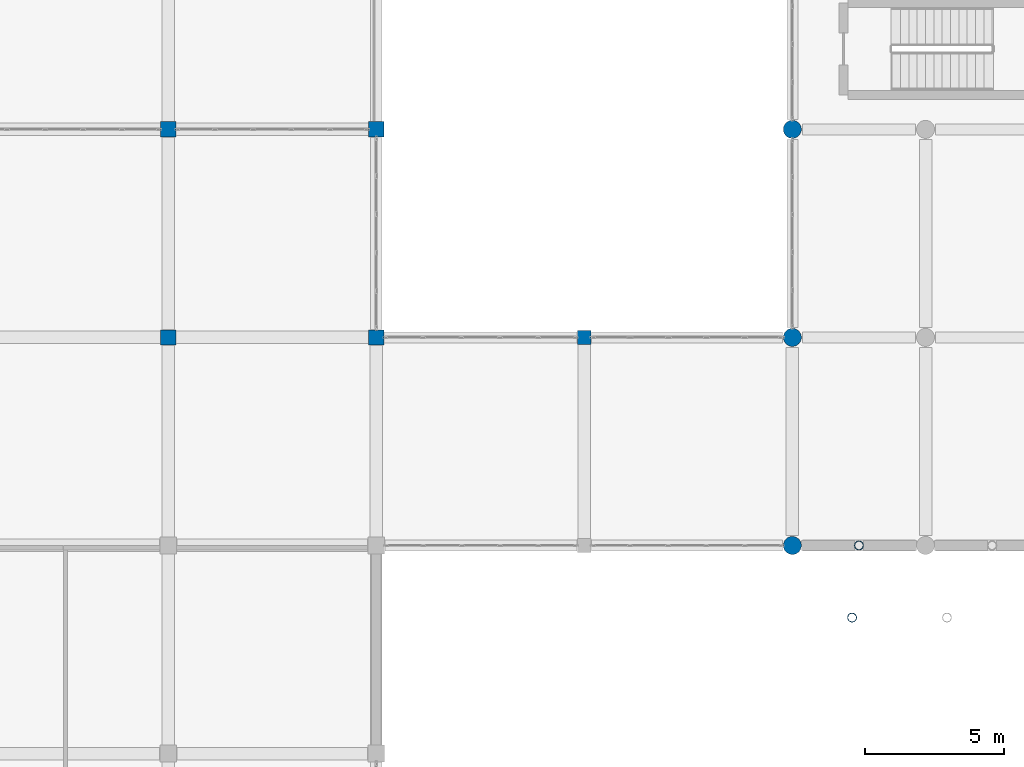
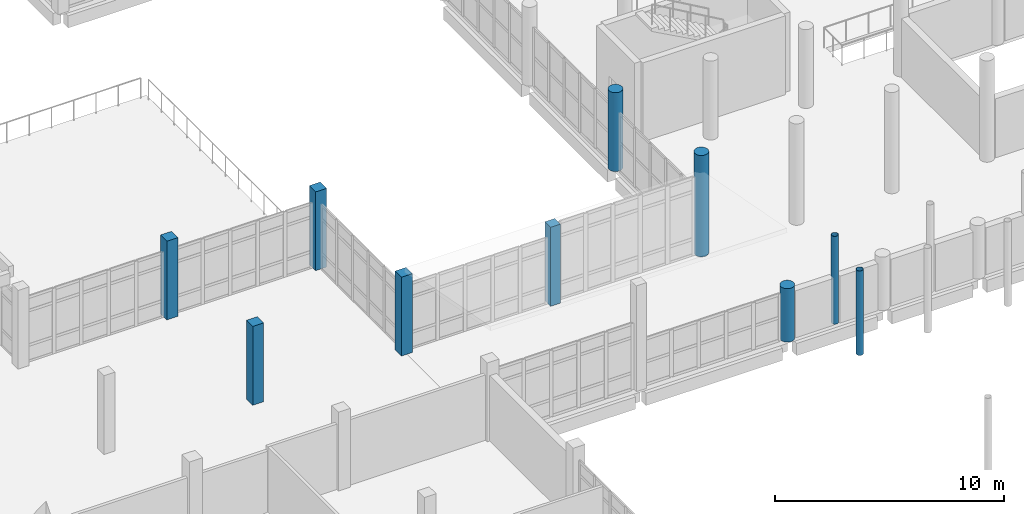
# One storey, part 4 of 164: 10 columns.
"""IFC4 building model written with IfcOpenShell, lengths in metres."""

from ifc_helpers import new_model, si_unit, direction, frame, origin, origin_2d, place, context, subcontext, project, spatial, rectangle, circle, hollow_circle, extrude, material, material_profile, profile_set, type_object, element, save


model = new_model("IFC4")

# Units and contexts
model_context = context("Model", 3, precision=1e-05, world=origin(), true_north=direction((0.0, 1.0)))
body_context = subcontext(model_context, "Body", "Model", "MODEL_VIEW")
ifc_project = project(units=[si_unit("LENGTHUNIT", "METRE"), si_unit("AREAUNIT", "SQUARE_METRE"), si_unit("VOLUMEUNIT", "CUBIC_METRE"), si_unit("PLANEANGLEUNIT", "RADIAN"), si_unit("MASSUNIT", "GRAM", prefix="KILO")], contexts=[model_context])

# Site, building, storey
site_placement = place(None, origin())
site = spatial("IfcSite", under=ifc_project, at=site_placement, CompositionType="ELEMENT")
building_placement = place(site_placement, origin())
building = spatial("IfcBuilding", under=site, at=building_placement, Name="Mawjan Specialist Oncology Clinic", CompositionType="ELEMENT")
storey_placement = place(building_placement, frame((0.0, 0.0, 5.0)))
storey = spatial("IfcBuildingStorey", under=building, at=storey_placement, Name="L01", CompositionType="ELEMENT", Elevation=5.0)

# Columns
ifc_material_1 = material(Name="Concrete C45/55", Category="concrete")
ifc_material_profile_1 = material_profile(ifc_material_1, rectangle(XDim=0.5, YDim=0.5, at=origin_2d()), Name="RC COL 500x500", Category="concrete")
ifc_profile_set_1 = profile_set([ifc_material_profile_1], Name="Concrete C45/55")
column_type_1 = type_object("IfcColumnType", Name="C-500", PredefinedType="COLUMN", material=ifc_profile_set_1)
column_1_placement = place(storey_placement, frame((52.5, 53.300048828125, 0.0), z_axis=(0.0, 0.0, 1.0), x_axis=(1.0, 0.0, 0.0)))
element("IfcColumn", 1, at=column_1_placement, inside=storey, type_object=column_type_1, Name="L01 Column G-8-H", PredefinedType="COLUMN", context=body_context, shape_type="SweptSolid", body=[
    extrude(rectangle(XDim=0.5, YDim=0.5, at=origin_2d()), origin(), (0.0, 0.0, 1.0), 4.2060546875),
])
ifc_material_2 = material(Name="Concrete C45/55", Category="concrete")
ifc_material_profile_2 = material_profile(ifc_material_2, rectangle(XDim=0.550048828125, YDim=0.550048828125, at=origin_2d()), Name="RC COL 550x550", Category="concrete")
ifc_profile_set_2 = profile_set([ifc_material_profile_2], Name="Concrete C45/55")
column_type_2 = type_object("IfcColumnType", Name="C-550", PredefinedType="COLUMN", material=ifc_profile_set_2)
for number, where, z_axis, x_axis, name in (
    (2, (37.5, 53.300048828125, 0.0), (0.0, 0.0, 1.0), (1.0, 0.0, 0.0), "L01 Column G-6-H"),
    (3, (37.5, 60.800048828125, 0.0), (0.0, 0.0, 1.0), (1.0, 0.0, 0.0), "L01 Column G-6-J"),
    (4, (45.0, 53.300048828125, 0.0), (0.0, 0.0, 1.0), (1.0, 0.0, 0.0), "L01 Column G-7-H"),
    (5, (45.0, 60.800048828125, 0.0), (0.0, 0.0, 1.0), (1.0, 0.0, 0.0), "L01 Column G-7-J"),
):
    element("IfcColumn", number, at=place(storey_placement, frame(where, z_axis=z_axis, x_axis=x_axis)), inside=storey, type_object=column_type_2, Name=name, PredefinedType="COLUMN", context=body_context, shape_type="SweptSolid", body=[
        extrude(rectangle(XDim=0.550048828125, YDim=0.550048828125, at=origin_2d()), origin(), (0.0, 0.0, 1.0), 4.199951171875),
    ])
ifc_material_3 = material(Name="Concrete C45/55", Category="concrete")
ifc_material_profile_3 = material_profile(ifc_material_3, circle(Radius=0.324951171875, at=origin_2d()), Name="RC COL D650", Category="concrete")
ifc_profile_set_3 = profile_set([ifc_material_profile_3], Name="Concrete C45/55")
column_type_3 = type_object("IfcColumnType", Name="C-D650", PredefinedType="COLUMN", material=ifc_profile_set_3)
column_2_placement = place(storey_placement, frame((60.0, 45.800048828125, 0.0), z_axis=(0.0, 0.0, 1.0), x_axis=(1.0, 0.0, 0.0)))
element("IfcColumn", 6, at=column_2_placement, inside=storey, type_object=column_type_3, Name="L01 Column G-9-G", PredefinedType="COLUMN", context=body_context, shape_type="SweptSolid", body=[
    extrude(circle(Radius=0.324951171875, at=origin_2d()), origin(), (0.0, 0.0, 1.0), 2.85009765625),
])
column_3_placement = place(storey_placement, frame((60.0, 53.300048828125, 0.0), z_axis=(0.0, 0.0, 1.0), x_axis=(1.0, 0.0, 0.0)))
element("IfcColumn", 7, at=column_3_placement, inside=storey, type_object=column_type_3, Name="L01 Column G-9-H", PredefinedType="COLUMN", context=body_context, shape_type="SweptSolid", body=[
    extrude(circle(Radius=0.324951171875, at=origin_2d()), origin(), (0.0, 0.0, 1.0), 5.39990234375),
])
column_4_placement = place(storey_placement, frame((60.0, 60.800048828125, 0.0), z_axis=(0.0, 0.0, 1.0), x_axis=(1.0, 0.0, 0.0)))
element("IfcColumn", 8, at=column_4_placement, inside=storey, type_object=column_type_3, Name="L01 Column G-9-J", PredefinedType="COLUMN", context=body_context, shape_type="SweptSolid", body=[
    extrude(circle(Radius=0.324951171875, at=origin_2d()), origin(), (0.0, 0.0, 1.0), 4.199951171875),
])
ifc_material_4 = material(Name="Structural steel S355", Category="steel")
ifc_material_profile_4 = material_profile(ifc_material_4, hollow_circle(Radius=0.161865234375, WallThickness=0.011962890625, at=origin_2d()), Name="CHS 323.9x12", Category="steel")
ifc_profile_set_4 = profile_set([ifc_material_profile_4], Name="Structural steel S355")
column_type_4 = type_object("IfcColumnType", Name="SC-CHS324", PredefinedType="COLUMN", material=ifc_profile_set_4)
column_5_placement = place(storey_placement, frame((62.39990234375, 45.800048828125, 0.0), z_axis=(0.0, 0.0, 1.0), x_axis=(1.0, 0.0, 0.0)))
element("IfcColumn", 9, at=column_5_placement, inside=storey, type_object=column_type_4, Name="Hall South Ridge L01 Column 01", PredefinedType="COLUMN", context=body_context, shape_type="SweptSolid", body=[
    extrude(hollow_circle(Radius=0.161865234375, WallThickness=0.011962890625, at=origin_2d()), origin(), (0.0, 0.0, 1.0), 4.679931640625),
])
column_6_placement = place(storey_placement, frame((62.152587890625, 43.199951171875, 0.0), z_axis=(0.0, 0.0, 1.0), x_axis=(1.0, 0.0, 0.0)))
element("IfcColumn", 10, at=column_6_placement, inside=storey, type_object=column_type_4, Name="Courtyard North Colonnade Column 01 L01", PredefinedType="COLUMN", context=body_context, shape_type="SweptSolid", body=[
    extrude(hollow_circle(Radius=0.161865234375, WallThickness=0.011962890625, at=origin_2d()), origin(), (0.0, 0.0, 1.0), 4.5),
])

save(model, "model.ifc")
